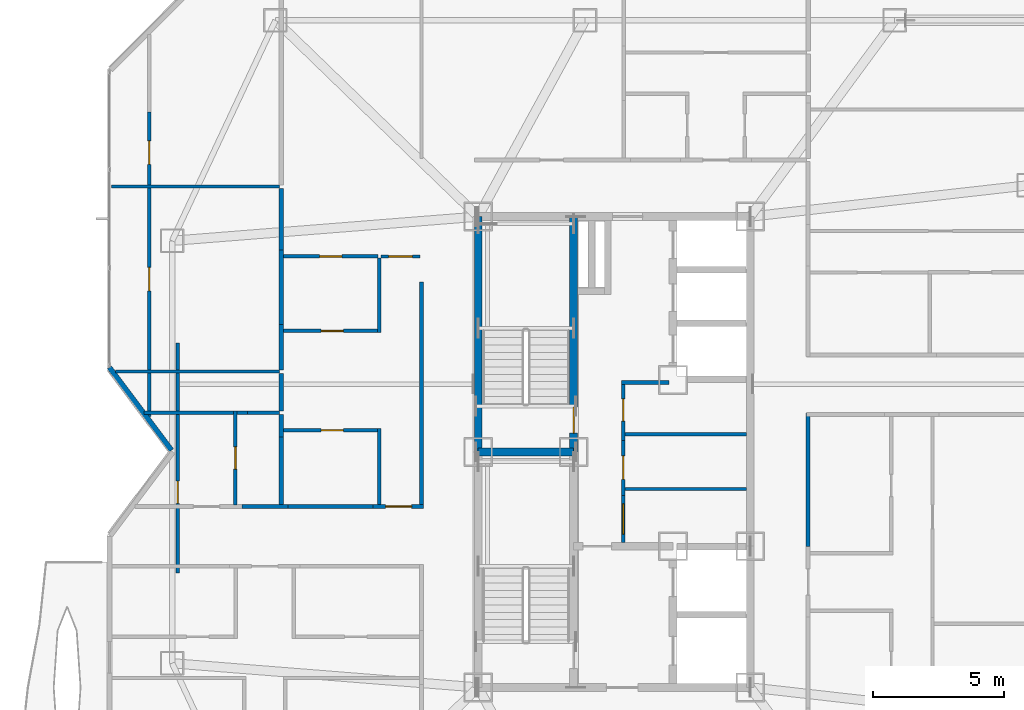
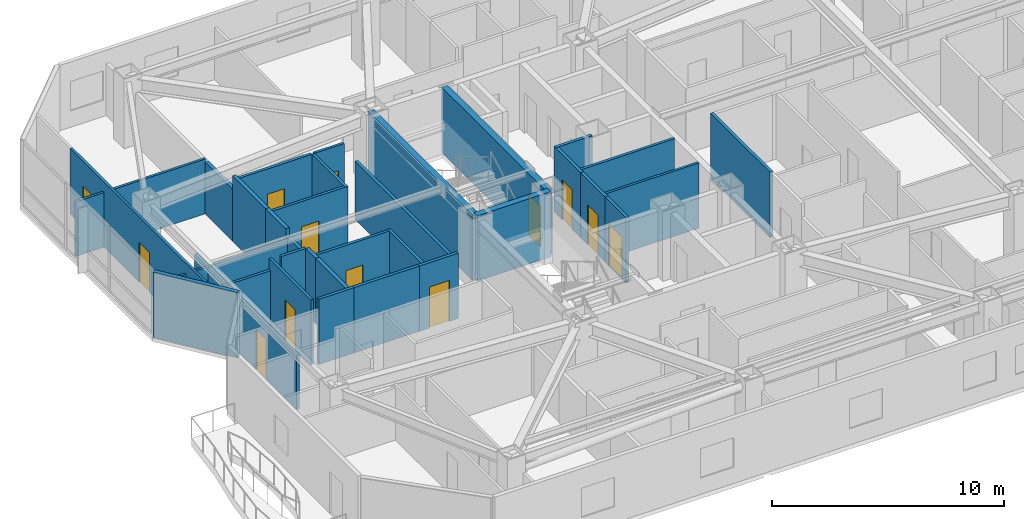
# One storey, part 13 of 18: 34 walls, 13 doors, 13 openings.
"""IFC4 building model written with IfcOpenShell, lengths in metres."""

from ifc_helpers import new_model, si_unit, direction, frame, frame_2d, origin, place, context, subcontext, project, spatial, rectangle, extrude, material, layer, layer_set, type_object, element, fill, save


model = new_model("IFC4")

# Units and contexts
model_context = context("Model", 3, precision=1e-05, world=origin(), true_north=direction((0.0, 1.0)))
body_context = subcontext(model_context, "Body", "Model", "MODEL_VIEW")
ifc_project = project(units=[si_unit("LENGTHUNIT", "METRE"), si_unit("AREAUNIT", "SQUARE_METRE"), si_unit("VOLUMEUNIT", "CUBIC_METRE"), si_unit("PLANEANGLEUNIT", "RADIAN"), si_unit("MASSUNIT", "GRAM", prefix="KILO")], contexts=[model_context])

# Site, building, storey
site_placement = place(None, origin())
site = spatial("IfcSite", under=ifc_project, at=site_placement, CompositionType="ELEMENT")
building_placement = place(site_placement, origin())
building = spatial("IfcBuilding", under=site, at=building_placement, Name="Khamvora Tower", CompositionType="ELEMENT")
storey_placement = place(building_placement, frame((0.0, 0.0, 181.449951171875)))
storey = spatial("IfcBuildingStorey", under=building, at=storey_placement, Name="L46", CompositionType="ELEMENT", Elevation=181.449951171875)

# Wall
ifc_material_1 = material(Name="Concrete C50/60", Category="concrete")
ifc_layer_1 = layer(ifc_material_1, 0.300048828125)
ifc_layer_set_1 = layer_set([ifc_layer_1], Name="Concrete C50/60")
wall_type_1 = type_object("IfcWallType", Name="WAL-CORE-300", PredefinedType="SHEAR", material=ifc_layer_set_1)
wall_1_placement = place(storey_placement, frame((29.0, 28.0, 0.0), z_axis=(0.0, 0.0, 1.0), x_axis=(0.0, 1.0, 0.0)))
element("IfcWall", 1, at=wall_1_placement, inside=storey, type_object=wall_type_1, Name="L46 central core west north wall", PredefinedType="SHEAR", context=body_context, shape_type="SweptSolid", body=[
    extrude(rectangle(XDim=9.0, YDim=0.300048828125, at=frame_2d((4.5, 0.0))), origin(), (0.0, 0.0, 1.0), 3.429931640625),
])

# Wall, opening, door
wall_2_placement = place(storey_placement, frame((32.64990234375, 28.0, 0.0), z_axis=(0.0, 0.0, 1.0), x_axis=(0.0, 1.0, 0.0)))
wall_2 = element("IfcWall", 2, at=wall_2_placement, inside=storey, type_object=wall_type_1, Name="L46 central core stair north spine wall", PredefinedType="SHEAR", context=body_context, shape_type="SweptSolid", body=[
    extrude(rectangle(XDim=9.0, YDim=0.300048828125, at=frame_2d((4.5, 0.0))), origin(), (0.0, 0.0, 1.0), 3.429931640625),
])
opening_1_placement = place(wall_2_placement, frame((0.719970703125, 0.0, 0.0)))
opening_1 = element("IfcOpeningElement", 3, at=opening_1_placement, cuts=wall_2, Name="Opening D-ST1", PredefinedType="OPENING", context=body_context, shape_type="SweptSolid", body=[
    extrude(rectangle(XDim=1.0, YDim=2.14990234375, at=frame_2d((0.5, 1.074951171875))), frame((0.0, 0.159912109375, 0.0), z_axis=(0.0, -1.0, 0.0), x_axis=(1.0, 0.0, 0.0)), (0.0, 0.0, 1.0), 0.320068359375),
])
ifc_material_2 = material(Name="Powder-Coated Steel and Hardwood Leaf", Category="steel")
door_type_1 = type_object("IfcDoorType", Name="DOR-STAIR-1000", OperationType="NOTDEFINED", PredefinedType="DOOR", material=ifc_material_2)
door_1_placement = place(opening_1_placement, origin())
door_1 = element("IfcDoor", 4, at=door_1_placement, inside=storey, type_object=door_type_1, Name="L46 exit stair ST-02 fire door", OperationType="SINGLE_SWING_RIGHT", OverallHeight=2.14990234375, OverallWidth=1.0, PredefinedType="DOOR", context=body_context, shape_type="SweptSolid", body=[
    extrude(rectangle(XDim=1.0, YDim=2.14990234375, at=frame_2d((0.5, 1.074951171875))), frame((0.0, 0.02490234375, 0.0), z_axis=(0.0, -1.0, 0.0), x_axis=(1.0, 0.0, 0.0)), (0.0, 0.0, 1.0), 0.050048828125),
])
fill(opening_1, door_1)

# Walls
wall_3_placement = place(storey_placement, frame((29.0, 28.0, 0.0), z_axis=(0.0, 0.0, 1.0), x_axis=(1.0, 0.0, 0.0)))
element("IfcWall", 5, at=wall_3_placement, inside=storey, type_object=wall_type_1, Name="L46 central core stair cross wall", PredefinedType="SHEAR", context=body_context, shape_type="SweptSolid", body=[
    extrude(rectangle(XDim=3.64990234375, YDim=0.300048828125, at=frame_2d((1.824951171875, 0.0))), origin(), (0.0, 0.0, 1.0), 3.429931640625),
])
ifc_material_3 = material(Name="Fire-Rated Drywall and Steel Stud", Category="steel")
ifc_layer_2 = layer(ifc_material_3, 0.14990234375)
ifc_layer_set_2 = layer_set([ifc_layer_2], Name="Fire-Rated Drywall and Steel Stud")
wall_type_2 = type_object("IfcWallType", Name="WAL-CORR-150", PredefinedType="STANDARD", material=ifc_layer_set_2)
wall_4_placement = place(storey_placement, frame((36.300048828125, 30.6650390625, 0.0), z_axis=(0.0, 0.0, 1.0), x_axis=(-1.0, 0.0, 0.0)))
element("IfcWall", 6, at=wall_4_placement, inside=storey, type_object=wall_type_2, Name="L46 interior partition wall 001", PredefinedType="STANDARD", context=body_context, shape_type="SweptSolid", body=[
    extrude(rectangle(XDim=1.820068359375, YDim=0.14990234375, at=frame_2d((0.91015625, 0.0))), origin(), (0.0, 0.0, 1.0), 3.429931640625),
])

# Wall, opening, door
wall_5_placement = place(storey_placement, frame((34.544921875, 30.72998046875, 0.0), z_axis=(0.0, 0.0, 1.0), x_axis=(0.0, -1.0, 0.0)))
wall_5 = element("IfcWall", 7, at=wall_5_placement, inside=storey, type_object=wall_type_2, Name="L46 interior partition wall 002", PredefinedType="STANDARD", context=body_context, shape_type="SweptSolid", body=[
    extrude(rectangle(XDim=2.2939453125, YDim=0.14990234375, at=frame_2d((1.14697265625, 0.0))), origin(), (0.0, 0.0, 1.0), 3.429931640625),
])
opening_2_placement = place(wall_5_placement, frame((0.700927734375, 0.0, 0.0)))
opening_2 = element("IfcOpeningElement", 8, at=opening_2_placement, cuts=wall_5, Name="Opening D-WC1", PredefinedType="OPENING", context=body_context, shape_type="SweptSolid", body=[
    extrude(rectangle(XDim=0.85009765625, YDim=2.10009765625, at=frame_2d((0.425048828125, 1.050048828125))), frame((0.0, 0.0849609375, 0.0), z_axis=(0.0, -1.0, 0.0), x_axis=(1.0, 0.0, 0.0)), (0.0, 0.0, 1.0), 0.169921875),
])
door_type_2 = type_object("IfcDoorType", Name="DOR-WET-850", OperationType="NOTDEFINED", PredefinedType="DOOR", material=ifc_material_2)
door_2_placement = place(opening_2_placement, origin())
door_2 = element("IfcDoor", 9, at=door_2_placement, inside=storey, type_object=door_type_2, Name="L46 interior door PHL-CS1", OperationType="SINGLE_SWING_LEFT", OverallHeight=2.10009765625, OverallWidth=0.85009765625, PredefinedType="DOOR", context=body_context, shape_type="SweptSolid", body=[
    extrude(rectangle(XDim=0.85009765625, YDim=2.10009765625, at=frame_2d((0.425048828125, 1.050048828125))), frame((0.0, 0.02490234375, 0.0), z_axis=(0.0, -1.0, 0.0), x_axis=(1.0, 0.0, 0.0)), (0.0, 0.0, 1.0), 0.050048828125),
])
fill(opening_2, door_2)

wall_6_placement = place(storey_placement, frame((34.544921875, 28.43603515625, 0.0), z_axis=(0.0, 0.0, 1.0), x_axis=(0.0, -1.0, 0.0)))
wall_6 = element("IfcWall", 10, at=wall_6_placement, inside=storey, type_object=wall_type_2, Name="L46 interior partition wall 003", PredefinedType="STANDARD", context=body_context, shape_type="SweptSolid", body=[
    extrude(rectangle(XDim=2.10009765625, YDim=0.14990234375, at=frame_2d((1.050048828125, 0.0))), origin(), (0.0, 0.0, 1.0), 3.429931640625),
])
opening_3_placement = place(wall_6_placement, frame((0.5791015625, 0.0, 0.0)))
opening_3 = element("IfcOpeningElement", 11, at=opening_3_placement, cuts=wall_6, Name="Opening D-RM1", PredefinedType="OPENING", context=body_context, shape_type="SweptSolid", body=[
    extrude(rectangle(XDim=0.89990234375, YDim=2.10009765625, at=frame_2d((0.449951171875, 1.050048828125))), frame((0.0, 0.0849609375, 0.0), z_axis=(0.0, -1.0, 0.0), x_axis=(1.0, 0.0, 0.0)), (0.0, 0.0, 1.0), 0.169921875),
])
door_type_3 = type_object("IfcDoorType", Name="DOR-ROOM-900", OperationType="NOTDEFINED", PredefinedType="DOOR", material=ifc_material_2)
door_3_placement = place(opening_3_placement, origin())
door_3 = element("IfcDoor", 12, at=door_3_placement, inside=storey, type_object=door_type_3, Name="L46 interior door PHL-CS2", OperationType="SINGLE_SWING_RIGHT", OverallHeight=2.10009765625, OverallWidth=0.89990234375, PredefinedType="DOOR", context=body_context, shape_type="SweptSolid", body=[
    extrude(rectangle(XDim=0.89990234375, YDim=2.10009765625, at=frame_2d((0.449951171875, 1.050048828125))), frame((0.0, 0.02490234375, 0.0), z_axis=(0.0, -1.0, 0.0), x_axis=(1.0, 0.0, 0.0)), (0.0, 0.0, 1.0), 0.050048828125),
])
fill(opening_3, door_3)

wall_7_placement = place(storey_placement, frame((34.544921875, 26.3359375, 0.0), z_axis=(0.0, 0.0, 1.0), x_axis=(0.0, -1.0, 0.0)))
wall_7 = element("IfcWall", 13, at=wall_7_placement, inside=storey, type_object=wall_type_2, Name="L46 interior partition wall 004", PredefinedType="STANDARD", context=body_context, shape_type="SweptSolid", body=[
    extrude(rectangle(XDim=1.7919921875, YDim=0.14990234375, at=frame_2d((0.89599609375, 0.0))), origin(), (0.0, 0.0, 1.0), 3.429931640625),
])
opening_4_placement = place(wall_7_placement, frame((0.321044921875, 0.0, 0.0)))
opening_4 = element("IfcOpeningElement", 14, at=opening_4_placement, cuts=wall_7, Name="Opening D-SC1", PredefinedType="OPENING", context=body_context, shape_type="SweptSolid", body=[
    extrude(rectangle(XDim=1.14990234375, YDim=2.199951171875, at=frame_2d((0.574951171875, 1.10009765625))), frame((0.0, 0.0849609375, 0.0), z_axis=(0.0, -1.0, 0.0), x_axis=(1.0, 0.0, 0.0)), (0.0, 0.0, 1.0), 0.169921875),
])
door_type_4 = type_object("IfcDoorType", Name="DOR-SCHL-1150", OperationType="NOTDEFINED", PredefinedType="DOOR", material=ifc_material_2)
door_4_placement = place(opening_4_placement, origin())
door_4 = element("IfcDoor", 15, at=door_4_placement, inside=storey, type_object=door_type_4, Name="L46 interior door PHL-CS3", OperationType="SINGLE_SWING_LEFT", OverallHeight=2.199951171875, OverallWidth=1.14990234375, PredefinedType="DOOR", context=body_context, shape_type="SweptSolid", body=[
    extrude(rectangle(XDim=1.14990234375, YDim=2.199951171875, at=frame_2d((0.574951171875, 1.10009765625))), frame((0.0, 0.02490234375, 0.0), z_axis=(0.0, -1.0, 0.0), x_axis=(1.0, 0.0, 0.0)), (0.0, 0.0, 1.0), 0.050048828125),
])
fill(opening_4, door_4)

# Wall
wall_8_placement = place(storey_placement, frame((19.965087890625, 25.9150390625, 0.0), z_axis=(0.0, 0.0, 1.0), x_axis=(1.0, 0.0, 0.0)))
element("IfcWall", 16, at=wall_8_placement, inside=storey, type_object=wall_type_2, Name="L46 interior partition wall 015", PredefinedType="STANDARD", context=body_context, shape_type="SweptSolid", body=[
    extrude(rectangle(XDim=1.759033203125, YDim=0.14990234375, at=frame_2d((0.87939453125, 0.0))), origin(), (0.0, 0.0, 1.0), 3.429931640625),
])

# Wall, opening, door
wall_9_placement = place(storey_placement, frame((24.97607421875, 25.9150390625, 0.0), z_axis=(0.0, 0.0, 1.0), x_axis=(1.0, 0.0, 0.0)))
wall_9 = element("IfcWall", 17, at=wall_9_placement, inside=storey, type_object=wall_type_2, Name="L46 interior partition wall 016", PredefinedType="STANDARD", context=body_context, shape_type="SweptSolid", body=[
    extrude(rectangle(XDim=1.923828125, YDim=0.14990234375, at=frame_2d((0.9619140625, 0.0))), origin(), (0.0, 0.0, 1.0), 3.429931640625),
])
opening_5_placement = place(wall_9_placement, frame((0.48291015625, 0.0, 0.0)))
opening_5 = element("IfcOpeningElement", 18, at=opening_5_placement, cuts=wall_9, Name="Opening D-U1", PredefinedType="OPENING", context=body_context, shape_type="SweptSolid", body=[
    extrude(rectangle(XDim=1.0, YDim=2.14990234375, at=frame_2d((0.5, 1.074951171875))), frame((0.0, 0.0849609375, 0.0), z_axis=(0.0, -1.0, 0.0), x_axis=(1.0, 0.0, 0.0)), (0.0, 0.0, 1.0), 0.169921875),
])
door_type_5 = type_object("IfcDoorType", Name="DOR-UNIT-1000", OperationType="NOTDEFINED", PredefinedType="DOOR", material=ifc_material_2)
door_5_placement = place(opening_5_placement, origin())
door_5 = element("IfcDoor", 19, at=door_5_placement, inside=storey, type_object=door_type_5, Name="L46 interior door COR-46WCH", OperationType="SINGLE_SWING_LEFT", OverallHeight=2.14990234375, OverallWidth=1.0, PredefinedType="DOOR", context=body_context, shape_type="SweptSolid", body=[
    extrude(rectangle(XDim=1.0, YDim=2.14990234375, at=frame_2d((0.5, 1.074951171875))), frame((0.0, 0.02490234375, 0.0), z_axis=(0.0, -1.0, 0.0), x_axis=(1.0, 0.0, 0.0)), (0.0, 0.0, 1.0), 0.050048828125),
])
fill(opening_5, door_5)

# Walls
wall_10_placement = place(storey_placement, frame((26.8349609375, 25.85205078125, 0.0), z_axis=(0.0, 0.0, 1.0), x_axis=(0.0, 1.0, 0.0)))
element("IfcWall", 20, at=wall_10_placement, inside=storey, type_object=wall_type_2, Name="L46 interior partition wall 017", PredefinedType="STANDARD", context=body_context, shape_type="SweptSolid", body=[
    extrude(rectangle(XDim=8.64794921875, YDim=0.14990234375, at=frame_2d((4.323974609375, 0.0))), origin(), (0.0, 0.0, 1.0), 3.06494140625),
])
wall_11_placement = place(storey_placement, frame((21.72412109375, 25.9150390625, 0.0), z_axis=(0.0, 0.0, 1.0), x_axis=(1.0, 0.0, 0.0)))
element("IfcWall", 21, at=wall_11_placement, inside=storey, type_object=wall_type_2, Name="L46 interior partition wall 018", PredefinedType="STANDARD", context=body_context, shape_type="SweptSolid", body=[
    extrude(rectangle(XDim=3.251953125, YDim=0.14990234375, at=frame_2d((1.6259765625, 0.0))), origin(), (0.0, 0.0, 1.0), 3.429931640625),
])
wall_12_placement = place(storey_placement, frame((41.614990234375, 29.5, 0.0), z_axis=(0.0, 0.0, 1.0), x_axis=(0.0, -1.0, 0.0)))
element("IfcWall", 22, at=wall_12_placement, inside=storey, type_object=wall_type_2, Name="L46 interior partition wall 030", PredefinedType="STANDARD", context=body_context, shape_type="SweptSolid", body=[
    extrude(rectangle(XDim=5.116943359375, YDim=0.14990234375, at=frame_2d((2.55859375, 0.0))), origin(), (0.0, 0.0, 1.0), 3.429931640625),
])
ifc_material_4 = material(Name="Acoustic Double-Stud Fire Wall", Category="gypsum")
ifc_layer_3 = layer(ifc_material_4, 0.179931640625)
ifc_layer_set_3 = layer_set([ifc_layer_3], Name="Acoustic Double-Stud Fire Wall")
wall_type_3 = type_object("IfcWallType", Name="WAL-CORR-180", PredefinedType="STANDARD", material=ifc_layer_set_3)
wall_13_placement = place(storey_placement, frame((21.47509765625, 31.010009765625, 0.0), z_axis=(0.0, 0.0, 1.0), x_axis=(0.0, -1.0, 0.0)))
element("IfcWall", 23, at=wall_13_placement, inside=storey, type_object=wall_type_3, Name="L46 interior partition wall 065", PredefinedType="STANDARD", context=body_context, shape_type="SweptSolid", body=[
    extrude(rectangle(XDim=1.449951171875, YDim=0.179931640625, at=frame_2d((0.72509765625, 0.0))), origin(), (0.0, 0.0, 1.0), 3.06494140625),
])
wall_14_placement = place(storey_placement, frame((21.47509765625, 29.429931640625, 0.0), z_axis=(0.0, 0.0, 1.0), x_axis=(0.0, -1.0, 0.0)))
element("IfcWall", 24, at=wall_14_placement, inside=storey, type_object=wall_type_3, Name="L46 interior partition wall 066", PredefinedType="STANDARD", context=body_context, shape_type="SweptSolid", body=[
    extrude(rectangle(XDim=0.848876953125, YDim=0.179931640625, at=frame_2d((0.42431640625, 0.0))), origin(), (0.0, 0.0, 1.0), 3.429931640625),
])
wall_15_placement = place(storey_placement, frame((21.47509765625, 28.5810546875, 0.0), z_axis=(0.0, 0.0, 1.0), x_axis=(0.0, -1.0, 0.0)))
element("IfcWall", 25, at=wall_15_placement, inside=storey, type_object=wall_type_3, Name="L46 interior partition wall 067", PredefinedType="STANDARD", context=body_context, shape_type="SweptSolid", body=[
    extrude(rectangle(XDim=2.60107421875, YDim=0.179931640625, at=frame_2d((1.300537109375, 0.0))), origin(), (0.0, 0.0, 1.0), 3.429931640625),
])
wall_16_placement = place(storey_placement, frame((21.47509765625, 32.87890625, 0.0), z_axis=(0.0, 0.0, 1.0), x_axis=(0.0, -1.0, 0.0)))
element("IfcWall", 26, at=wall_16_placement, inside=storey, type_object=wall_type_3, Name="L46 interior partition wall 069", PredefinedType="STANDARD", context=body_context, shape_type="SweptSolid", body=[
    extrude(rectangle(XDim=1.739013671875, YDim=0.179931640625, at=frame_2d((0.86962890625, 0.0))), origin(), (0.0, 0.0, 1.0), 3.429931640625),
])
wall_17_placement = place(storey_placement, frame((21.47509765625, 35.72900390625, 0.0), z_axis=(0.0, 0.0, 1.0), x_axis=(0.0, -1.0, 0.0)))
element("IfcWall", 27, at=wall_17_placement, inside=storey, type_object=wall_type_3, Name="L46 interior partition wall 070", PredefinedType="STANDARD", context=body_context, shape_type="SweptSolid", body=[
    extrude(rectangle(XDim=2.85009765625, YDim=0.179931640625, at=frame_2d((1.425048828125, 0.0))), origin(), (0.0, 0.0, 1.0), 3.429931640625),
])
wall_18_placement = place(storey_placement, frame((21.47509765625, 38.080078125, 0.0), z_axis=(0.0, 0.0, 1.0), x_axis=(0.0, -1.0, 0.0)))
element("IfcWall", 28, at=wall_18_placement, inside=storey, type_object=wall_type_3, Name="L46 interior partition wall 071", PredefinedType="STANDARD", context=body_context, shape_type="SweptSolid", body=[
    extrude(rectangle(XDim=2.35107421875, YDim=0.179931640625, at=frame_2d((1.175537109375, 0.0))), origin(), (0.0, 0.0, 1.0), 2.72509765625),
])
ifc_material_5 = material(Name="Precast concrete C40/50", Category="concrete")
ifc_layer_4 = layer(ifc_material_5, 0.199951171875)
ifc_layer_set_4 = layer_set([ifc_layer_4], Name="Precast concrete C40/50")
wall_type_4 = type_object("IfcWallType", Name="WAL-EXT-200", PredefinedType="STANDARD", material=ifc_layer_set_4)
wall_19_placement = place(storey_placement, frame((17.27294921875, 28.069091796875, 0.0), z_axis=(0.0, 0.0, 1.0), x_axis=(-0.600029630681, 0.799977776132, 0.0)))
element("IfcWall", 29, at=wall_19_placement, inside=storey, type_object=wall_type_4, Name="L46 exterior facade wall 04.1", PredefinedType="STANDARD", context=body_context, shape_type="SweptSolid", body=[
    extrude(rectangle(XDim=3.954833984375, YDim=0.199951171875, at=frame_2d((1.9775390625, 0.0))), origin(), (0.0, 0.0, 1.0), 3.429931640625),
])
ifc_material_6 = material(Name="Gypsum Plasterboard Partition", Category="gypsum")
ifc_layer_5 = layer(ifc_material_6, 0.1201171875)
ifc_layer_set_5 = layer_set([ifc_layer_5], Name="Gypsum Plasterboard Partition")
wall_type_5 = type_object("IfcWallType", Name="WAL-PART-120", PredefinedType="PARTITIONING", material=ifc_layer_set_5)
wall_20_placement = place(storey_placement, frame((39.256103515625, 26.5849609375, 0.0), z_axis=(0.0, 0.0, 1.0), x_axis=(-1.0, 0.0, 0.0)))
element("IfcWall", 30, at=wall_20_placement, inside=storey, type_object=wall_type_5, Name="L46 interior partition wall 006", PredefinedType="PARTITIONING", context=body_context, shape_type="SweptSolid", body=[
    extrude(rectangle(XDim=4.64404296875, YDim=0.1201171875, at=frame_2d((2.322021484375, 0.0))), origin(), (0.0, 0.0, 1.0), 3.429931640625),
])

# Wall, openings, doors
wall_21_placement = place(storey_placement, frame((16.425048828125, 40.993896484375, 0.0), z_axis=(0.0, 0.0, 1.0), x_axis=(0.0, -1.0, 0.0)))
wall_21 = element("IfcWall", 31, at=wall_21_placement, inside=storey, type_object=wall_type_5, Name="L46 interior partition wall 062", PredefinedType="PARTITIONING", context=body_context, shape_type="SweptSolid", body=[
    extrude(rectangle(XDim=11.640869140625, YDim=0.1201171875, at=frame_2d((5.8203125, 0.0))), origin(), (0.0, 0.0, 1.0), 3.429931640625),
])
opening_6_placement = place(wall_21_placement, frame((5.93408203125, 0.0, 0.0)))
opening_6 = element("IfcOpeningElement", 32, at=opening_6_placement, cuts=wall_21, Name="Opening D-RM1", PredefinedType="OPENING", context=body_context, shape_type="SweptSolid", body=[
    extrude(rectangle(XDim=0.89990234375, YDim=2.10009765625, at=frame_2d((0.449951171875, 1.050048828125))), frame((0.0, 0.070068359375, 0.0), z_axis=(0.0, -1.0, 0.0), x_axis=(1.0, 0.0, 0.0)), (0.0, 0.0, 1.0), 0.14013671875),
])
opening_7_placement = place(wall_21_placement, frame((1.10009765625, 0.0, 0.0)))
opening_7 = element("IfcOpeningElement", 33, at=opening_7_placement, cuts=wall_21, Name="Opening D-RM1", PredefinedType="OPENING", context=body_context, shape_type="SweptSolid", body=[
    extrude(rectangle(XDim=0.89990234375, YDim=2.10009765625, at=frame_2d((0.449951171875, 1.050048828125))), frame((0.0, 0.070068359375, 0.0), z_axis=(0.0, -1.0, 0.0), x_axis=(1.0, 0.0, 0.0)), (0.0, 0.0, 1.0), 0.14013671875),
])
door_6_placement = place(opening_6_placement, origin())
door_6 = element("IfcDoor", 34, at=door_6_placement, inside=storey, type_object=door_type_3, Name="L46 interior door 46WBH-46WBR1", OperationType="SINGLE_SWING_RIGHT", OverallHeight=2.10009765625, OverallWidth=0.89990234375, PredefinedType="DOOR", context=body_context, shape_type="SweptSolid", body=[
    extrude(rectangle(XDim=0.89990234375, YDim=2.10009765625, at=frame_2d((0.449951171875, 1.050048828125))), frame((0.0, 0.02490234375, 0.0), z_axis=(0.0, -1.0, 0.0), x_axis=(1.0, 0.0, 0.0)), (0.0, 0.0, 1.0), 0.050048828125),
])
fill(opening_6, door_6)
door_7_placement = place(opening_7_placement, origin())
door_7 = element("IfcDoor", 35, at=door_7_placement, inside=storey, type_object=door_type_3, Name="L46 interior door 46WBH-46WBR2", OperationType="SINGLE_SWING_RIGHT", OverallHeight=2.10009765625, OverallWidth=0.89990234375, PredefinedType="DOOR", context=body_context, shape_type="SweptSolid", body=[
    extrude(rectangle(XDim=0.89990234375, YDim=2.10009765625, at=frame_2d((0.449951171875, 1.050048828125))), frame((0.0, 0.02490234375, 0.0), z_axis=(0.0, -1.0, 0.0), x_axis=(1.0, 0.0, 0.0)), (0.0, 0.0, 1.0), 0.050048828125),
])
fill(opening_7, door_7)

# Walls
wall_22_placement = place(storey_placement, frame((15.134033203125, 31.074951171875, 0.0), z_axis=(0.0, 0.0, 1.0), x_axis=(1.0, 0.0, 0.0)))
element("IfcWall", 36, at=wall_22_placement, inside=storey, type_object=wall_type_5, Name="L46 interior partition wall 063", PredefinedType="PARTITIONING", context=body_context, shape_type="SweptSolid", body=[
    extrude(rectangle(XDim=6.27587890625, YDim=0.1201171875, at=frame_2d((3.137939453125, 0.0))), origin(), (0.0, 0.0, 1.0), 2.8759765625),
])
wall_23_placement = place(storey_placement, frame((14.98193359375, 38.14501953125, 0.0), z_axis=(0.0, 0.0, 1.0), x_axis=(1.0, 0.0, 0.0)))
element("IfcWall", 37, at=wall_23_placement, inside=storey, type_object=wall_type_5, Name="L46 interior partition wall 068", PredefinedType="PARTITIONING", context=body_context, shape_type="SweptSolid", body=[
    extrude(rectangle(XDim=6.427978515625, YDim=0.1201171875, at=frame_2d((3.2138671875, 0.0))), origin(), (0.0, 0.0, 1.0), 2.8759765625),
])

# Wall, opening, door
wall_24_placement = place(storey_placement, frame((25.2900390625, 35.47998046875, 0.0), z_axis=(0.0, 0.0, 1.0), x_axis=(1.0, 0.0, 0.0)))
wall_24 = element("IfcWall", 38, at=wall_24_placement, inside=storey, type_object=wall_type_5, Name="L46 interior partition wall 077", PredefinedType="PARTITIONING", context=body_context, shape_type="SweptSolid", body=[
    extrude(rectangle(XDim=1.47998046875, YDim=0.1201171875, at=frame_2d((0.739990234375, 0.0))), origin(), (0.0, 0.0, 1.0), 3.429931640625),
])
opening_8_placement = place(wall_24_placement, frame((0.2900390625, 0.0, 0.0)))
opening_8 = element("IfcOpeningElement", 39, at=opening_8_placement, cuts=wall_24, Name="Opening D-RM1", PredefinedType="OPENING", context=body_context, shape_type="SweptSolid", body=[
    extrude(rectangle(XDim=0.89990234375, YDim=2.10009765625, at=frame_2d((0.449951171875, 1.050048828125))), frame((0.0, 0.070068359375, 0.0), z_axis=(0.0, -1.0, 0.0), x_axis=(1.0, 0.0, 0.0)), (0.0, 0.0, 1.0), 0.14013671875),
])
door_8_placement = place(opening_8_placement, origin())
door_8 = element("IfcDoor", 40, at=door_8_placement, inside=storey, type_object=door_type_3, Name="L46 interior door 46WCH-46WCR1", OperationType="SINGLE_SWING_LEFT", OverallHeight=2.10009765625, OverallWidth=0.89990234375, PredefinedType="DOOR", context=body_context, shape_type="SweptSolid", body=[
    extrude(rectangle(XDim=0.89990234375, YDim=2.10009765625, at=frame_2d((0.449951171875, 1.050048828125))), frame((0.0, 0.02490234375, 0.0), z_axis=(0.0, -1.0, 0.0), x_axis=(1.0, 0.0, 0.0)), (0.0, 0.0, 1.0), 0.050048828125),
])
fill(opening_8, door_8)

# Wall
ifc_material_7 = material(Name="Moisture-Resistant Plasterboard Partition", Category="gypsum")
ifc_layer_6 = layer(ifc_material_7, 0.135009765625)
ifc_layer_set_6 = layer_set([ifc_layer_6], Name="Moisture-Resistant Plasterboard Partition")
wall_type_6 = type_object("IfcWallType", Name="WAL-WET-135", PredefinedType="PARTITIONING", material=ifc_layer_set_6)
wall_25_placement = place(storey_placement, frame((39.256103515625, 28.68505859375, 0.0), z_axis=(0.0, 0.0, 1.0), x_axis=(-1.0, 0.0, 0.0)))
element("IfcWall", 41, at=wall_25_placement, inside=storey, type_object=wall_type_6, Name="L46 interior partition wall 005", PredefinedType="PARTITIONING", context=body_context, shape_type="SweptSolid", body=[
    extrude(rectangle(XDim=4.64404296875, YDim=0.135009765625, at=frame_2d((2.322021484375, 0.0))), origin(), (0.0, 0.0, 1.0), 3.429931640625),
])

# Wall, opening, door
wall_26_placement = place(storey_placement, frame((17.51611328125, 23.3798828125, 0.0), z_axis=(0.0, 0.0, 1.0), x_axis=(0.0, 1.0, 0.0)))
wall_26 = element("IfcWall", 42, at=wall_26_placement, inside=storey, type_object=wall_type_6, Name="L46 interior partition wall 058", PredefinedType="PARTITIONING", context=body_context, shape_type="SweptSolid", body=[
    extrude(rectangle(XDim=8.780029296875, YDim=0.135009765625, at=frame_2d((4.39013671875, 0.0))), origin(), (0.0, 0.0, 1.0), 2.8759765625),
])
opening_9_placement = place(wall_26_placement, frame((2.655029296875, 0.0, 0.0)))
opening_9 = element("IfcOpeningElement", 43, at=opening_9_placement, cuts=wall_26, Name="Opening D-WC1", PredefinedType="OPENING", context=body_context, shape_type="SweptSolid", body=[
    extrude(rectangle(XDim=0.85009765625, YDim=2.10009765625, at=frame_2d((0.425048828125, 1.050048828125))), frame((0.0, 0.077392578125, 0.0), z_axis=(0.0, -1.0, 0.0), x_axis=(1.0, 0.0, 0.0)), (0.0, 0.0, 1.0), 0.155029296875),
])
door_9_placement = place(opening_9_placement, origin())
door_9 = element("IfcDoor", 44, at=door_9_placement, inside=storey, type_object=door_type_2, Name="L46 interior door 46WBH-46WBB", OperationType="SINGLE_SWING_LEFT", OverallHeight=2.10009765625, OverallWidth=0.85009765625, PredefinedType="DOOR", context=body_context, shape_type="SweptSolid", body=[
    extrude(rectangle(XDim=0.85009765625, YDim=2.10009765625, at=frame_2d((0.425048828125, 1.050048828125))), frame((0.0, 0.02490234375, 0.0), z_axis=(0.0, -1.0, 0.0), x_axis=(1.0, 0.0, 0.0)), (0.0, 0.0, 1.0), 0.050048828125),
])
fill(opening_9, door_9)

# Walls
wall_27_placement = place(storey_placement, frame((20.180908203125, 29.4951171875, 0.0), z_axis=(0.0, 0.0, 1.0), x_axis=(-1.0, 0.0, 0.0)))
element("IfcWall", 45, at=wall_27_placement, inside=storey, type_object=wall_type_6, Name="L46 interior partition wall 059", PredefinedType="PARTITIONING", context=body_context, shape_type="SweptSolid", body=[
    extrude(rectangle(XDim=3.948974609375, YDim=0.135009765625, at=frame_2d((1.974609375, 0.0))), origin(), (0.0, 0.0, 1.0), 2.8759765625),
])
wall_28_placement = place(storey_placement, frame((21.409912109375, 29.4951171875, 0.0), z_axis=(0.0, 0.0, 1.0), x_axis=(-1.0, 0.0, 0.0)))
element("IfcWall", 46, at=wall_28_placement, inside=storey, type_object=wall_type_6, Name="L46 interior partition wall 060", PredefinedType="PARTITIONING", context=body_context, shape_type="SweptSolid", body=[
    extrude(rectangle(XDim=1.22900390625, YDim=0.135009765625, at=frame_2d((0.614501953125, 0.0))), origin(), (0.0, 0.0, 1.0), 3.429931640625),
])

# Wall, opening, door
wall_29_placement = place(storey_placement, frame((19.716064453125, 29.56005859375, 0.0), z_axis=(0.0, 0.0, 1.0), x_axis=(0.0, -1.0, 0.0)))
wall_29 = element("IfcWall", 47, at=wall_29_placement, inside=storey, type_object=wall_type_6, Name="L46 interior partition wall 061", PredefinedType="PARTITIONING", context=body_context, shape_type="SweptSolid", body=[
    extrude(rectangle(XDim=3.580078125, YDim=0.135009765625, at=frame_2d((1.7900390625, 0.0))), origin(), (0.0, 0.0, 1.0), 3.429931640625),
])
opening_10_placement = place(wall_29_placement, frame((1.364990234375, 0.0, 0.0)))
opening_10 = element("IfcOpeningElement", 48, at=opening_10_placement, cuts=wall_29, Name="Opening D-RM2", PredefinedType="OPENING", context=body_context, shape_type="SweptSolid", body=[
    extrude(rectangle(XDim=0.85009765625, YDim=2.10009765625, at=frame_2d((0.425048828125, 1.050048828125))), frame((0.0, 0.077392578125, 0.0), z_axis=(0.0, -1.0, 0.0), x_axis=(1.0, 0.0, 0.0)), (0.0, 0.0, 1.0), 0.155029296875),
])
door_type_6 = type_object("IfcDoorType", Name="DOR-ROOM-850", OperationType="NOTDEFINED", PredefinedType="DOOR", material=ifc_material_2)
door_10_placement = place(opening_10_placement, origin())
door_10 = element("IfcDoor", 49, at=door_10_placement, inside=storey, type_object=door_type_6, Name="L46 interior door 46WBH-46WBK", OperationType="SINGLE_SWING_RIGHT", OverallHeight=2.10009765625, OverallWidth=0.85009765625, PredefinedType="DOOR", context=body_context, shape_type="SweptSolid", body=[
    extrude(rectangle(XDim=0.85009765625, YDim=2.10009765625, at=frame_2d((0.425048828125, 1.050048828125))), frame((0.0, 0.02490234375, 0.0), z_axis=(0.0, -1.0, 0.0), x_axis=(1.0, 0.0, 0.0)), (0.0, 0.0, 1.0), 0.050048828125),
])
fill(opening_10, door_10)

# Wall
wall_30_placement = place(storey_placement, frame((25.22509765625, 25.97998046875, 0.0), z_axis=(0.0, 0.0, 1.0), x_axis=(0.0, 1.0, 0.0)))
element("IfcWall", 50, at=wall_30_placement, inside=storey, type_object=wall_type_6, Name="L46 interior partition wall 073", PredefinedType="PARTITIONING", context=body_context, shape_type="SweptSolid", body=[
    extrude(rectangle(XDim=2.9150390625, YDim=0.135009765625, at=frame_2d((1.45751953125, 0.0))), origin(), (0.0, 0.0, 1.0), 3.429931640625),
])

# Wall, opening, door
wall_31_placement = place(storey_placement, frame((25.2900390625, 28.830078125, 0.0), z_axis=(0.0, 0.0, 1.0), x_axis=(-1.0, 0.0, 0.0)))
wall_31 = element("IfcWall", 51, at=wall_31_placement, inside=storey, type_object=wall_type_6, Name="L46 interior partition wall 074", PredefinedType="PARTITIONING", context=body_context, shape_type="SweptSolid", body=[
    extrude(rectangle(XDim=3.733154296875, YDim=0.135009765625, at=frame_2d((1.86669921875, 0.0))), origin(), (0.0, 0.0, 1.0), 3.429931640625),
])
opening_11_placement = place(wall_31_placement, frame((1.44189453125, 0.0, 0.0)))
opening_11 = element("IfcOpeningElement", 52, at=opening_11_placement, cuts=wall_31, Name="Opening D-WC1", PredefinedType="OPENING", context=body_context, shape_type="SweptSolid", body=[
    extrude(rectangle(XDim=0.85009765625, YDim=2.10009765625, at=frame_2d((0.425048828125, 1.050048828125))), frame((0.0, 0.077392578125, 0.0), z_axis=(0.0, -1.0, 0.0), x_axis=(1.0, 0.0, 0.0)), (0.0, 0.0, 1.0), 0.155029296875),
])
door_11_placement = place(opening_11_placement, origin())
door_11 = element("IfcDoor", 53, at=door_11_placement, inside=storey, type_object=door_type_2, Name="L46 interior door 46WCH-46WCB", OperationType="SINGLE_SWING_LEFT", OverallHeight=2.10009765625, OverallWidth=0.85009765625, PredefinedType="DOOR", context=body_context, shape_type="SweptSolid", body=[
    extrude(rectangle(XDim=0.85009765625, YDim=2.10009765625, at=frame_2d((0.425048828125, 1.050048828125))), frame((0.0, 0.02490234375, 0.0), z_axis=(0.0, -1.0, 0.0), x_axis=(1.0, 0.0, 0.0)), (0.0, 0.0, 1.0), 0.050048828125),
])
fill(opening_11, door_11)

wall_32_placement = place(storey_placement, frame((21.556884765625, 32.6298828125, 0.0), z_axis=(0.0, 0.0, 1.0), x_axis=(1.0, 0.0, 0.0)))
wall_32 = element("IfcWall", 54, at=wall_32_placement, inside=storey, type_object=wall_type_6, Name="L46 interior partition wall 075", PredefinedType="PARTITIONING", context=body_context, shape_type="SweptSolid", body=[
    extrude(rectangle(XDim=3.733154296875, YDim=0.135009765625, at=frame_2d((1.86669921875, 0.0))), origin(), (0.0, 0.0, 1.0), 3.429931640625),
])
opening_12_placement = place(wall_32_placement, frame((1.44189453125, 0.0, 0.0)))
opening_12 = element("IfcOpeningElement", 55, at=opening_12_placement, cuts=wall_32, Name="Opening D-RM2", PredefinedType="OPENING", context=body_context, shape_type="SweptSolid", body=[
    extrude(rectangle(XDim=0.85009765625, YDim=2.10009765625, at=frame_2d((0.425048828125, 1.050048828125))), frame((0.0, 0.077392578125, 0.0), z_axis=(0.0, -1.0, 0.0), x_axis=(1.0, 0.0, 0.0)), (0.0, 0.0, 1.0), 0.155029296875),
])
door_12_placement = place(opening_12_placement, origin())
door_12 = element("IfcDoor", 56, at=door_12_placement, inside=storey, type_object=door_type_6, Name="L46 interior door 46WCH-46WCK", OperationType="SINGLE_SWING_RIGHT", OverallHeight=2.10009765625, OverallWidth=0.85009765625, PredefinedType="DOOR", context=body_context, shape_type="SweptSolid", body=[
    extrude(rectangle(XDim=0.85009765625, YDim=2.10009765625, at=frame_2d((0.425048828125, 1.050048828125))), frame((0.0, 0.02490234375, 0.0), z_axis=(0.0, -1.0, 0.0), x_axis=(1.0, 0.0, 0.0)), (0.0, 0.0, 1.0), 0.050048828125),
])
fill(opening_12, door_12)

# Wall
wall_33_placement = place(storey_placement, frame((25.22509765625, 32.56494140625, 0.0), z_axis=(0.0, 0.0, 1.0), x_axis=(0.0, 1.0, 0.0)))
element("IfcWall", 57, at=wall_33_placement, inside=storey, type_object=wall_type_6, Name="L46 interior partition wall 076", PredefinedType="PARTITIONING", context=body_context, shape_type="SweptSolid", body=[
    extrude(rectangle(XDim=2.85009765625, YDim=0.135009765625, at=frame_2d((1.425048828125, 0.0))), origin(), (0.0, 0.0, 1.0), 3.429931640625),
])

# Wall, opening, door
wall_34_placement = place(storey_placement, frame((21.556884765625, 35.47998046875, 0.0), z_axis=(0.0, 0.0, 1.0), x_axis=(1.0, 0.0, 0.0)))
wall_34 = element("IfcWall", 58, at=wall_34_placement, inside=storey, type_object=wall_type_6, Name="L46 interior partition wall 078", PredefinedType="PARTITIONING", context=body_context, shape_type="SweptSolid", body=[
    extrude(rectangle(XDim=3.60302734375, YDim=0.135009765625, at=frame_2d((1.801513671875, 0.0))), origin(), (0.0, 0.0, 1.0), 3.429931640625),
])
opening_13_placement = place(wall_34_placement, frame((1.376953125, 0.0, 0.0)))
opening_13 = element("IfcOpeningElement", 59, at=opening_13_placement, cuts=wall_34, Name="Opening D-RM2", PredefinedType="OPENING", context=body_context, shape_type="SweptSolid", body=[
    extrude(rectangle(XDim=0.85009765625, YDim=2.10009765625, at=frame_2d((0.425048828125, 1.050048828125))), frame((0.0, 0.077392578125, 0.0), z_axis=(0.0, -1.0, 0.0), x_axis=(1.0, 0.0, 0.0)), (0.0, 0.0, 1.0), 0.155029296875),
])
door_13_placement = place(opening_13_placement, origin())
door_13 = element("IfcDoor", 60, at=door_13_placement, inside=storey, type_object=door_type_6, Name="L46 interior door 46WCK-46WCR1", OperationType="SINGLE_SWING_RIGHT", OverallHeight=2.10009765625, OverallWidth=0.85009765625, PredefinedType="DOOR", context=body_context, shape_type="SweptSolid", body=[
    extrude(rectangle(XDim=0.85009765625, YDim=2.10009765625, at=frame_2d((0.425048828125, 1.050048828125))), frame((0.0, 0.02490234375, 0.0), z_axis=(0.0, -1.0, 0.0), x_axis=(1.0, 0.0, 0.0)), (0.0, 0.0, 1.0), 0.050048828125),
])
fill(opening_13, door_13)

save(model, "model.ifc")
